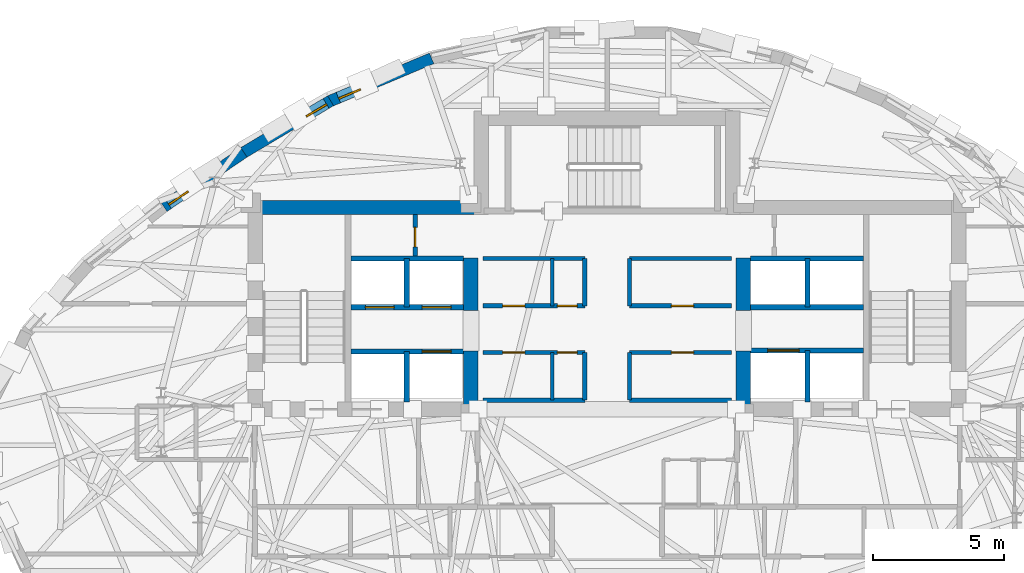
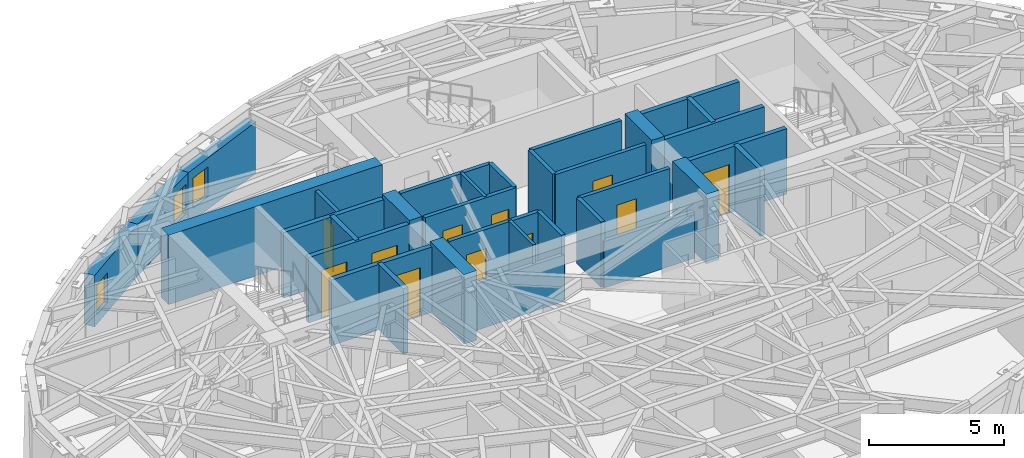
# One storey, part 8 of 13: 33 walls, 11 doors, 3 windows, 14 openings.
"""IFC4 building model written with IfcOpenShell, lengths in metres."""

import ifcopenshell
import ifcopenshell.guid

model = None  # the IFC model being written
_history = None  # IfcOwnerHistory: only IFC2X3 demands one
_inside = {}  # id of a spatial element -> (the spatial element, [elements in it])
_under = {}  # id of a project, library or spatial element -> (it, [spatial elements below it])
_declared = {}  # id of a project -> (the project, [libraries it declares])
_typed = {}  # id of a type object -> (the type object, [elements of that type])
_made_of = {}  # id of a material, layer set ... -> (it, [elements and type objects made of it])


def new_model(schema):
    """Start an empty IFC model of exactly this schema.

    Asked for "IFC4X3", IfcOpenShell would pick the latest addendum, in which some entities
    have other attributes; the version numbers below select the first issue.
    IFC2X3 requires an IfcOwnerHistory on every rooted entity: one is made here for all.
    """
    global model, _history
    if schema == "IFC4X3":
        model = ifcopenshell.file(schema_version=(4, 3, 0, 0))
    else:
        model = ifcopenshell.file(schema=schema)
    _inside.clear()
    _under.clear()
    _declared.clear()
    _typed.clear()
    _made_of.clear()
    _history = None
    if model.schema == "IFC2X3":
        org = make("IfcOrganization", Name="unknown")
        user = make(
            "IfcPersonAndOrganization",
            ThePerson=make("IfcPerson", FamilyName="unknown"),
            TheOrganization=org,
        )
        app = make(
            "IfcApplication",
            ApplicationDeveloper=org,
            Version="unknown",
            ApplicationFullName="unknown",
            ApplicationIdentifier="unknown",
        )
        _history = make(
            "IfcOwnerHistory",
            OwningUser=user,
            OwningApplication=app,
            ChangeAction="ADDED",
            CreationDate=0,
        )
    return model


def make(cls, **values):
    """One entity of the class cls with the attributes given. An attribute that is None is left unset."""
    return model.create_entity(
        cls, **{name: value for name, value in values.items() if value is not None}
    )


def rooted(cls, **values):
    """An entity with a GlobalId (a new one), such as an element, a storey or a relation."""
    return make(cls, GlobalId=ifcopenshell.guid.new(), OwnerHistory=_history, **values)


def si_unit(unit_type, name, prefix=None):
    """IfcSIUnit, for example si_unit("LENGTHUNIT", "METRE", prefix="MILLI")."""
    return make("IfcSIUnit", UnitType=unit_type, Prefix=prefix, Name=name)


def assignment(units):
    """IfcUnitAssignment: the units of a project."""
    return None if units is None else make("IfcUnitAssignment", Units=units)


def point(xyz):
    """IfcCartesianPoint."""
    return None if xyz is None else make("IfcCartesianPoint", Coordinates=xyz)


def direction(xyz):
    """IfcDirection."""
    return None if xyz is None else make("IfcDirection", DirectionRatios=xyz)


def frame(location, z_axis=None, x_axis=None):
    """IfcAxis2Placement3D, a coordinate frame: its origin and axes. An axis left out is left unset."""
    return make(
        "IfcAxis2Placement3D",
        Location=point(location),
        Axis=direction(z_axis),
        RefDirection=direction(x_axis),
    )


def frame_2d(location, x_axis=None):
    """IfcAxis2Placement2D, a coordinate frame in the plane: its origin and x axis."""
    return make(
        "IfcAxis2Placement2D", Location=point(location), RefDirection=direction(x_axis)
    )


def origin():
    """The frame at (0, 0, 0) with its axes left unset."""
    return frame((0.0, 0.0, 0.0))


def place(relative_to, where):
    """IfcLocalPlacement: puts the frame where relative to a parent placement (None: the world)."""
    return make(
        "IfcLocalPlacement", PlacementRelTo=relative_to, RelativePlacement=where
    )


def context(
    kind, dimensions, precision=None, world=None, true_north=None, identifier=None
):
    """IfcGeometricRepresentationContext, for example the 3D "Model" context."""
    return make(
        "IfcGeometricRepresentationContext",
        ContextIdentifier=identifier,
        ContextType=kind,
        CoordinateSpaceDimension=dimensions,
        Precision=precision,
        WorldCoordinateSystem=world,
        TrueNorth=true_north,
    )


def subcontext(parent, identifier, kind, view, scale=None):
    """IfcGeometricRepresentationSubContext, for example "Body" below "Model"."""
    return make(
        "IfcGeometricRepresentationSubContext",
        ContextIdentifier=identifier,
        ContextType=kind,
        ParentContext=parent,
        TargetScale=scale,
        TargetView=view,
    )


def project(units=None, contexts=None):
    """IfcProject with its units and contexts."""
    return rooted(
        "IfcProject",
        Name="project",
        RepresentationContexts=contexts,
        UnitsInContext=assignment(units),
    )


def spatial(cls, under=None, at=None, **own):
    """A site, building, storey or space (cls), placed at a placement, below another one or the project."""
    s = rooted(cls, ObjectPlacement=at, **own)
    if under is not None:
        _under.setdefault(under.id(), (under, []))[1].append(s)
    return s


def profile(cls, at=None, kind="AREA", **sizes):
    """A parametric profile (cls). Its sizes go by their IFC names, for example OverallWidth=200.0."""
    return make(cls, ProfileType=kind, Position=at, **sizes)


def rectangle(**sizes):
    """IfcRectangleProfileDef."""
    return profile("IfcRectangleProfileDef", **sizes)


def extrude(swept, where, along, depth):
    """IfcExtrudedAreaSolid: the profile swept, set in the frame where, extruded along a direction by depth."""
    return make(
        "IfcExtrudedAreaSolid",
        SweptArea=swept,
        Position=where,
        ExtrudedDirection=direction(along),
        Depth=depth,
    )


def shape(context_of_items, identifier, shape_type, items):
    """IfcShapeRepresentation: the items that make up one representation, for example the "Body"."""
    return make(
        "IfcShapeRepresentation",
        ContextOfItems=context_of_items,
        RepresentationIdentifier=identifier,
        RepresentationType=shape_type,
        Items=items,
    )


def material(Name=None, Category=None):
    """IfcMaterial."""
    return make("IfcMaterial", Name=Name, Category=Category)


def layer(
    of_material, thickness, ventilated=None, Name=None, Category=None, Priority=None
):
    """IfcMaterialLayer: one layer of a wall or slab, of a material (None: an air gap)."""
    return make(
        "IfcMaterialLayer",
        Material=of_material,
        LayerThickness=thickness,
        IsVentilated=ventilated,
        Name=Name,
        Category=Category,
        Priority=Priority,
    )


def layer_set(layers, Name=None):
    """IfcMaterialLayerSet."""
    return make("IfcMaterialLayerSet", MaterialLayers=layers, LayerSetName=Name)


def made_of(thing, what):
    """Note that an element or type object is made of a material, layer set ...; save() writes the relation."""
    if what is not None:
        _made_of.setdefault(what.id(), (what, []))[1].append(thing)
    return thing


def type_object(cls, material=None, **own):
    """A type object (cls), such as IfcWallType, which elements share."""
    return made_of(rooted(cls, **own), material)


def element(
    cls,
    number,
    at=None,
    inside=None,
    cuts=None,
    type_object=None,
    material=None,
    context=None,
    identifier="Body",
    shape_type=None,
    held_by="IfcProductDefinitionShape",
    body=None,
    shapes=None,
    **own,
):
    """One element of the class cls, such as IfcWall. Its Tag is "e" and its number.

    at: its placement. inside: the storey or other place that contains it. cuts: it is an
    opening in that element (IfcRelVoidsElement). A single representation is given by context,
    identifier, shape_type and body (its items); several are given by shapes. held_by: the class
    of the entity that holds the representations. save() writes the other relations.
    """
    e = rooted(cls, Tag="e%d" % number, ObjectPlacement=at, **own)
    if body is not None:
        shapes = [shape(context, identifier, shape_type, body)]
    if shapes is not None:
        e.Representation = make(held_by, Representations=shapes)
    if inside is not None:
        _inside.setdefault(inside.id(), (inside, []))[1].append(e)
    if cuts is not None:
        rooted(
            "IfcRelVoidsElement", RelatingBuildingElement=cuts, RelatedOpeningElement=e
        )
    if type_object is not None:
        _typed.setdefault(type_object.id(), (type_object, []))[1].append(e)
    return made_of(e, material)


def fill(opening, filler):
    """IfcRelFillsElement: the door or window that sits in an opening."""
    return rooted(
        "IfcRelFillsElement",
        RelatingOpeningElement=opening,
        RelatedBuildingElement=filler,
    )


def aggregate(whole, parts):
    """IfcRelAggregates: a whole, such as a stair, and the parts it consists of."""
    return rooted("IfcRelAggregates", RelatingObject=whole, RelatedObjects=parts)


def save(model, path):
    """Write the relations noted so far, then the file.

    IfcRelAggregates (storeys below a building ...), IfcRelContainedInSpatialStructure (elements
    in a storey), IfcRelDefinesByType, IfcRelAssociatesMaterial and IfcRelDeclares: one each for
    every whole, place, type object, material and project.
    """
    for whole, parts in _under.values():
        aggregate(whole, parts)
    for where, things in _inside.values():
        rooted(
            "IfcRelContainedInSpatialStructure",
            RelatedElements=things,
            RelatingStructure=where,
        )
    for kind, things in _typed.values():
        rooted("IfcRelDefinesByType", RelatedObjects=things, RelatingType=kind)
    for what, things in _made_of.values():
        rooted("IfcRelAssociatesMaterial", RelatedObjects=things, RelatingMaterial=what)
    for by, libraries in _declared.values():
        rooted("IfcRelDeclares", RelatingContext=by, RelatedDefinitions=libraries)
    model.write(path)


model = new_model("IFC4")

# Units and contexts
model_context = context("Model", 3, precision=1e-05, world=origin(), true_north=direction((0.0, 1.0)))
body_context = subcontext(model_context, "Body", "Model", "MODEL_VIEW")
ifc_project = project(units=[si_unit("LENGTHUNIT", "METRE"), si_unit("AREAUNIT", "SQUARE_METRE"), si_unit("VOLUMEUNIT", "CUBIC_METRE"), si_unit("PLANEANGLEUNIT", "RADIAN"), si_unit("MASSUNIT", "GRAM", prefix="KILO")], contexts=[model_context])

# Site, building, storey
site_placement = place(None, origin())
site = spatial("IfcSite", under=ifc_project, at=site_placement, CompositionType="ELEMENT")
building_placement = place(site_placement, origin())
building = spatial("IfcBuilding", under=site, at=building_placement, Name="Keldmark Tower", CompositionType="ELEMENT")
storey_placement = place(building_placement, frame((0.0, 0.0, 210.0)))
storey = spatial("IfcBuildingStorey", under=building, at=storey_placement, Name="L58", CompositionType="ELEMENT", Elevation=210.0)

# Walls
ifc_material_1 = material(Name="Concrete C50/60", Category="concrete")
ifc_layer_1 = layer(ifc_material_1, 0.550048828125)
ifc_layer_set_1 = layer_set([ifc_layer_1], Name="Concrete C50/60")
wall_type_1 = type_object("IfcWallType", Name="High-Rise Core Shear Wall 550 mm", PredefinedType="SHEAR", material=ifc_layer_set_1)
wall_1_placement = place(storey_placement, frame((-13.699951171875, 9.27490234375, 0.0), z_axis=(0.0, 0.0, 1.0), x_axis=(1.0, 0.0, 0.0)))
element("IfcWall", 1, at=wall_1_placement, inside=storey, type_object=wall_type_1, Name="L58 West Core North Shear Wall", PredefinedType="SHEAR", context=body_context, shape_type="SweptSolid", body=[
    extrude(rectangle(XDim=9.175048828125, YDim=0.550048828125, at=frame_2d((4.58740234375, 0.0))), origin(), (0.0, 0.0, 1.0), 3.14990234375),
])
wall_2_placement = place(storey_placement, frame((-5.199951171875, 1.300048828125, 0.0), z_axis=(0.0, 0.0, 1.0), x_axis=(0.0, 1.0, 0.0)))
element("IfcWall", 2, at=wall_2_placement, inside=storey, type_object=wall_type_1, Name="L58 West Core Inner Shear Pier South", PredefinedType="SHEAR", context=body_context, shape_type="SweptSolid", body=[
    extrude(rectangle(XDim=2.5, YDim=0.550048828125, at=frame_2d((1.25, 0.0))), origin(), (0.0, 0.0, 1.0), 3.14990234375),
])
wall_3_placement = place(storey_placement, frame((-5.199951171875, 5.35009765625, 0.0), z_axis=(0.0, 0.0, 1.0), x_axis=(0.0, 1.0, 0.0)))
element("IfcWall", 3, at=wall_3_placement, inside=storey, type_object=wall_type_1, Name="L58 West Core Inner Shear Pier North", PredefinedType="SHEAR", context=body_context, shape_type="SweptSolid", body=[
    extrude(rectangle(XDim=2.0, YDim=0.550048828125, at=frame_2d((1.0, 0.0))), origin(), (0.0, 0.0, 1.0), 3.14990234375),
])
wall_4_placement = place(storey_placement, frame((5.199951171875, 1.300048828125, 0.0), z_axis=(0.0, 0.0, 1.0), x_axis=(0.0, 1.0, 0.0)))
element("IfcWall", 4, at=wall_4_placement, inside=storey, type_object=wall_type_1, Name="L58 East Core Inner Shear Pier South", PredefinedType="SHEAR", context=body_context, shape_type="SweptSolid", body=[
    extrude(rectangle(XDim=2.5, YDim=0.550048828125, at=frame_2d((1.25, 0.0))), origin(), (0.0, 0.0, 1.0), 3.14990234375),
])
wall_5_placement = place(storey_placement, frame((5.199951171875, 5.35009765625, 0.0), z_axis=(0.0, 0.0, 1.0), x_axis=(0.0, 1.0, 0.0)))
element("IfcWall", 5, at=wall_5_placement, inside=storey, type_object=wall_type_1, Name="L58 East Core Inner Shear Pier North", PredefinedType="SHEAR", context=body_context, shape_type="SweptSolid", body=[
    extrude(rectangle(XDim=2.0, YDim=0.550048828125, at=frame_2d((1.0, 0.0))), origin(), (0.0, 0.0, 1.0), 3.14990234375),
])
ifc_material_2 = material(Name="Acoustic Gypsum Board Interior Partition", Category="gypsum")
ifc_layer_2 = layer(ifc_material_2, 0.1298828125)
ifc_layer_set_2 = layer_set([ifc_layer_2], Name="Acoustic Gypsum Board Interior Partition")
wall_type_2 = type_object("IfcWallType", Name="Interior Partition 130 mm", PredefinedType="PARTITIONING", material=ifc_layer_set_2)
wall_6_placement = place(storey_placement, frame((-2.10009765625, 1.919921875, 0.0), z_axis=(0.0, 0.0, 1.0), x_axis=(0.0, 1.0, 0.0)))
element("IfcWall", 6, at=wall_6_placement, inside=storey, type_object=wall_type_2, Name="L58 Interior Partition 130 mm REC-LW-M", PredefinedType="PARTITIONING", context=body_context, shape_type="SweptSolid", body=[
    extrude(rectangle(XDim=1.820068359375, YDim=0.1298828125, at=frame_2d((0.91015625, 0.0))), origin(), (0.0, 0.0, 1.0), 2.969970703125),
])
wall_7_placement = place(storey_placement, frame((-2.10009765625, 5.52001953125, 0.0), z_axis=(0.0, 0.0, 1.0), x_axis=(0.0, 1.0, 0.0)))
element("IfcWall", 7, at=wall_7_placement, inside=storey, type_object=wall_type_2, Name="L58 Interior Partition 130 mm REC-MW-M", PredefinedType="PARTITIONING", context=body_context, shape_type="SweptSolid", body=[
    extrude(rectangle(XDim=1.81005859375, YDim=0.1298828125, at=frame_2d((0.905029296875, 0.0))), origin(), (0.0, 0.0, 1.0), 2.969970703125),
])
ifc_material_3 = material(Name="Type X Fire-Rated Gypsum Partition Assembly", Category="gypsum")
ifc_layer_3 = layer(ifc_material_3, 0.1650390625)
ifc_layer_set_3 = layer_set([ifc_layer_3], Name="Type X Fire-Rated Gypsum Partition Assembly")
wall_type_3 = type_object("IfcWallType", Name="Rated Partition 165 mm", PredefinedType="PARTITIONING", material=ifc_layer_set_3)
wall_8_placement = place(storey_placement, frame((-4.739990234375, 1.919921875, 0.0), z_axis=(0.0, 0.0, 1.0), x_axis=(1.0, 0.0, 0.0)))
element("IfcWall", 8, at=wall_8_placement, inside=storey, type_object=wall_type_3, Name="L58 Rated Partition 165 mm REC-LW-S", PredefinedType="PARTITIONING", context=body_context, shape_type="SweptSolid", body=[
    extrude(rectangle(XDim=3.889892578125, YDim=0.1650390625, at=frame_2d((1.94482421875, 0.0))), origin(), (0.0, 0.0, 1.0), 2.110107421875),
])

# Wall, openings, doors
wall_9_placement = place(storey_placement, frame((-4.739990234375, 3.739990234375, 0.0), z_axis=(0.0, 0.0, 1.0), x_axis=(1.0, 0.0, 0.0)))
wall_9 = element("IfcWall", 9, at=wall_9_placement, inside=storey, type_object=wall_type_3, Name="L58 Rated Partition 165 mm REC-LW-N", PredefinedType="PARTITIONING", context=body_context, shape_type="SweptSolid", body=[
    extrude(rectangle(XDim=3.889892578125, YDim=0.1650390625, at=frame_2d((1.94482421875, 0.0))), origin(), (0.0, 0.0, 1.0), 2.969970703125),
])
opening_1_placement = place(wall_9_placement, frame((0.75, 0.0, 0.0)))
opening_1 = element("IfcOpeningElement", 10, at=opening_1_placement, cuts=wall_9, Name="Opening D-SV085", PredefinedType="OPENING", context=body_context, shape_type="SweptSolid", body=[
    extrude(rectangle(XDim=0.85009765625, YDim=2.10009765625, at=frame_2d((0.425048828125, 1.050048828125))), frame((0.0, 0.092529296875, 0.0), z_axis=(0.0, -1.0, 0.0), x_axis=(1.0, 0.0, 0.0)), (0.0, 0.0, 1.0), 0.18505859375),
])
opening_2_placement = place(wall_9_placement, frame((2.840087890625, 0.0, 0.0)))
opening_2 = element("IfcOpeningElement", 11, at=opening_2_placement, cuts=wall_9, Name="Opening D-RS075", PredefinedType="OPENING", context=body_context, shape_type="SweptSolid", body=[
    extrude(rectangle(XDim=0.75, YDim=2.10009765625, at=frame_2d((0.375, 1.050048828125))), frame((0.0, 0.092529296875, 0.0), z_axis=(0.0, -1.0, 0.0), x_axis=(1.0, 0.0, 0.0)), (0.0, 0.0, 1.0), 0.18505859375),
])
ifc_material_4 = material(Name="Galvanized Fire-Rated Access Leaf", Category="metal")
door_type_1 = type_object("IfcDoorType", Name="Riser Access Door 750x2100", OperationType="NOTDEFINED", PredefinedType="DOOR", material=ifc_material_4)
door_1_placement = place(opening_2_placement, origin())
door_1 = element("IfcDoor", 12, at=door_1_placement, inside=storey, type_object=door_type_1, Name="L58 Riser Access Door 750x2100 D-RECLW2-L58", OperationType="SINGLE_SWING_RIGHT", OverallHeight=2.10009765625, OverallWidth=0.75, PredefinedType="DOOR", context=body_context, shape_type="SweptSolid", body=[
    extrude(rectangle(XDim=0.75, YDim=2.10009765625, at=frame_2d((0.375, 1.050048828125))), frame((0.0, 0.02490234375, 0.0), z_axis=(0.0, -1.0, 0.0), x_axis=(1.0, 0.0, 0.0)), (0.0, 0.0, 1.0), 0.050048828125),
])
fill(opening_2, door_1)
ifc_material_5 = material(Name="Painted Hollow Metal Door Assembly", Category="metal")
door_type_2 = type_object("IfcDoorType", Name="Service Door 850x2100", OperationType="NOTDEFINED", PredefinedType="DOOR", material=ifc_material_5)
door_2_placement = place(opening_1_placement, origin())
door_2 = element("IfcDoor", 13, at=door_2_placement, inside=storey, type_object=door_type_2, Name="L58 Service Door 850x2100 D-RECLW1-L58", OperationType="SINGLE_SWING_LEFT", OverallHeight=2.10009765625, OverallWidth=0.85009765625, PredefinedType="DOOR", context=body_context, shape_type="SweptSolid", body=[
    extrude(rectangle(XDim=0.85009765625, YDim=2.10009765625, at=frame_2d((0.425048828125, 1.050048828125))), frame((0.0, 0.02490234375, 0.0), z_axis=(0.0, -1.0, 0.0), x_axis=(1.0, 0.0, 0.0)), (0.0, 0.0, 1.0), 0.050048828125),
])
fill(opening_1, door_2)

# Walls
wall_10_placement = place(storey_placement, frame((-0.85009765625, 1.919921875, 0.0), z_axis=(0.0, 0.0, 1.0), x_axis=(0.0, 1.0, 0.0)))
element("IfcWall", 14, at=wall_10_placement, inside=storey, type_object=wall_type_3, Name="L58 Rated Partition 165 mm REC-LW-E", PredefinedType="PARTITIONING", context=body_context, shape_type="SweptSolid", body=[
    extrude(rectangle(XDim=1.820068359375, YDim=0.1650390625, at=frame_2d((0.91015625, 0.0))), origin(), (0.0, 0.0, 1.0), 2.969970703125),
])
wall_11_placement = place(storey_placement, frame((0.85009765625, 1.919921875, 0.0), z_axis=(0.0, 0.0, 1.0), x_axis=(1.0, 0.0, 0.0)))
element("IfcWall", 15, at=wall_11_placement, inside=storey, type_object=wall_type_3, Name="L58 Rated Partition 165 mm REC-LE-S", PredefinedType="PARTITIONING", context=body_context, shape_type="SweptSolid", body=[
    extrude(rectangle(XDim=3.889892578125, YDim=0.1650390625, at=frame_2d((1.94482421875, 0.0))), origin(), (0.0, 0.0, 1.0), 2.110107421875),
])

# Wall, opening, door
wall_12_placement = place(storey_placement, frame((0.85009765625, 3.739990234375, 0.0), z_axis=(0.0, 0.0, 1.0), x_axis=(1.0, 0.0, 0.0)))
wall_12 = element("IfcWall", 16, at=wall_12_placement, inside=storey, type_object=wall_type_3, Name="L58 Rated Partition 165 mm REC-LE-N", PredefinedType="PARTITIONING", context=body_context, shape_type="SweptSolid", body=[
    extrude(rectangle(XDim=3.889892578125, YDim=0.1650390625, at=frame_2d((1.94482421875, 0.0))), origin(), (0.0, 0.0, 1.0), 2.969970703125),
])
opening_3_placement = place(wall_12_placement, frame((1.60009765625, 0.0, 0.0)))
opening_3 = element("IfcOpeningElement", 17, at=opening_3_placement, cuts=wall_12, Name="Opening D-SV085", PredefinedType="OPENING", context=body_context, shape_type="SweptSolid", body=[
    extrude(rectangle(XDim=0.85009765625, YDim=2.10009765625, at=frame_2d((0.425048828125, 1.050048828125))), frame((0.0, 0.092529296875, 0.0), z_axis=(0.0, -1.0, 0.0), x_axis=(1.0, 0.0, 0.0)), (0.0, 0.0, 1.0), 0.18505859375),
])
door_3_placement = place(opening_3_placement, origin())
door_3 = element("IfcDoor", 18, at=door_3_placement, inside=storey, type_object=door_type_2, Name="L58 Service Door 850x2100 D-RECLE1-L58", OperationType="SINGLE_SWING_LEFT", OverallHeight=2.10009765625, OverallWidth=0.85009765625, PredefinedType="DOOR", context=body_context, shape_type="SweptSolid", body=[
    extrude(rectangle(XDim=0.85009765625, YDim=2.10009765625, at=frame_2d((0.425048828125, 1.050048828125))), frame((0.0, 0.02490234375, 0.0), z_axis=(0.0, -1.0, 0.0), x_axis=(1.0, 0.0, 0.0)), (0.0, 0.0, 1.0), 0.050048828125),
])
fill(opening_3, door_3)

# Wall
wall_13_placement = place(storey_placement, frame((0.85009765625, 1.919921875, 0.0), z_axis=(0.0, 0.0, 1.0), x_axis=(0.0, 1.0, 0.0)))
element("IfcWall", 19, at=wall_13_placement, inside=storey, type_object=wall_type_3, Name="L58 Rated Partition 165 mm REC-LE-W", PredefinedType="PARTITIONING", context=body_context, shape_type="SweptSolid", body=[
    extrude(rectangle(XDim=1.820068359375, YDim=0.1650390625, at=frame_2d((0.91015625, 0.0))), origin(), (0.0, 0.0, 1.0), 2.969970703125),
])

# Wall, openings, doors
wall_14_placement = place(storey_placement, frame((-4.739990234375, 5.52001953125, 0.0), z_axis=(0.0, 0.0, 1.0), x_axis=(1.0, 0.0, 0.0)))
wall_14 = element("IfcWall", 20, at=wall_14_placement, inside=storey, type_object=wall_type_3, Name="L58 Rated Partition 165 mm REC-MW-S", PredefinedType="PARTITIONING", context=body_context, shape_type="SweptSolid", body=[
    extrude(rectangle(XDim=3.889892578125, YDim=0.1650390625, at=frame_2d((1.94482421875, 0.0))), origin(), (0.0, 0.0, 1.0), 2.969970703125),
])
opening_4_placement = place(wall_14_placement, frame((0.75, 0.0, 0.0)))
opening_4 = element("IfcOpeningElement", 21, at=opening_4_placement, cuts=wall_14, Name="Opening D-SV085", PredefinedType="OPENING", context=body_context, shape_type="SweptSolid", body=[
    extrude(rectangle(XDim=0.85009765625, YDim=2.10009765625, at=frame_2d((0.425048828125, 1.050048828125))), frame((0.0, 0.092529296875, 0.0), z_axis=(0.0, -1.0, 0.0), x_axis=(1.0, 0.0, 0.0)), (0.0, 0.0, 1.0), 0.18505859375),
])
opening_5_placement = place(wall_14_placement, frame((2.840087890625, 0.0, 0.0)))
opening_5 = element("IfcOpeningElement", 22, at=opening_5_placement, cuts=wall_14, Name="Opening D-RS075", PredefinedType="OPENING", context=body_context, shape_type="SweptSolid", body=[
    extrude(rectangle(XDim=0.75, YDim=2.10009765625, at=frame_2d((0.375, 1.050048828125))), frame((0.0, 0.092529296875, 0.0), z_axis=(0.0, -1.0, 0.0), x_axis=(1.0, 0.0, 0.0)), (0.0, 0.0, 1.0), 0.18505859375),
])
door_4_placement = place(opening_5_placement, origin())
door_4 = element("IfcDoor", 23, at=door_4_placement, inside=storey, type_object=door_type_1, Name="L58 Riser Access Door 750x2100 D-RECMW2-L58", OperationType="SINGLE_SWING_RIGHT", OverallHeight=2.10009765625, OverallWidth=0.75, PredefinedType="DOOR", context=body_context, shape_type="SweptSolid", body=[
    extrude(rectangle(XDim=0.75, YDim=2.10009765625, at=frame_2d((0.375, 1.050048828125))), frame((0.0, 0.02490234375, 0.0), z_axis=(0.0, -1.0, 0.0), x_axis=(1.0, 0.0, 0.0)), (0.0, 0.0, 1.0), 0.050048828125),
])
fill(opening_5, door_4)
door_5_placement = place(opening_4_placement, origin())
door_5 = element("IfcDoor", 24, at=door_5_placement, inside=storey, type_object=door_type_2, Name="L58 Service Door 850x2100 D-RECMW1-L58", OperationType="SINGLE_SWING_LEFT", OverallHeight=2.10009765625, OverallWidth=0.85009765625, PredefinedType="DOOR", context=body_context, shape_type="SweptSolid", body=[
    extrude(rectangle(XDim=0.85009765625, YDim=2.10009765625, at=frame_2d((0.425048828125, 1.050048828125))), frame((0.0, 0.02490234375, 0.0), z_axis=(0.0, -1.0, 0.0), x_axis=(1.0, 0.0, 0.0)), (0.0, 0.0, 1.0), 0.050048828125),
])
fill(opening_4, door_5)

# Walls
wall_15_placement = place(storey_placement, frame((-4.739990234375, 7.330078125, 0.0), z_axis=(0.0, 0.0, 1.0), x_axis=(1.0, 0.0, 0.0)))
element("IfcWall", 25, at=wall_15_placement, inside=storey, type_object=wall_type_3, Name="L58 Rated Partition 165 mm REC-MW-N", PredefinedType="PARTITIONING", context=body_context, shape_type="SweptSolid", body=[
    extrude(rectangle(XDim=3.889892578125, YDim=0.1650390625, at=frame_2d((1.94482421875, 0.0))), origin(), (0.0, 0.0, 1.0), 2.969970703125),
])
wall_16_placement = place(storey_placement, frame((-0.85009765625, 5.52001953125, 0.0), z_axis=(0.0, 0.0, 1.0), x_axis=(0.0, 1.0, 0.0)))
element("IfcWall", 26, at=wall_16_placement, inside=storey, type_object=wall_type_3, Name="L58 Rated Partition 165 mm REC-MW-E", PredefinedType="PARTITIONING", context=body_context, shape_type="SweptSolid", body=[
    extrude(rectangle(XDim=1.81005859375, YDim=0.1650390625, at=frame_2d((0.905029296875, 0.0))), origin(), (0.0, 0.0, 1.0), 2.969970703125),
])

# Wall, opening, door
wall_17_placement = place(storey_placement, frame((0.85009765625, 5.52001953125, 0.0), z_axis=(0.0, 0.0, 1.0), x_axis=(1.0, 0.0, 0.0)))
wall_17 = element("IfcWall", 27, at=wall_17_placement, inside=storey, type_object=wall_type_3, Name="L58 Rated Partition 165 mm REC-ME-S", PredefinedType="PARTITIONING", context=body_context, shape_type="SweptSolid", body=[
    extrude(rectangle(XDim=3.889892578125, YDim=0.1650390625, at=frame_2d((1.94482421875, 0.0))), origin(), (0.0, 0.0, 1.0), 2.969970703125),
])
opening_6_placement = place(wall_17_placement, frame((1.60009765625, 0.0, 0.0)))
opening_6 = element("IfcOpeningElement", 28, at=opening_6_placement, cuts=wall_17, Name="Opening D-SV085", PredefinedType="OPENING", context=body_context, shape_type="SweptSolid", body=[
    extrude(rectangle(XDim=0.85009765625, YDim=2.10009765625, at=frame_2d((0.425048828125, 1.050048828125))), frame((0.0, 0.092529296875, 0.0), z_axis=(0.0, -1.0, 0.0), x_axis=(1.0, 0.0, 0.0)), (0.0, 0.0, 1.0), 0.18505859375),
])
door_6_placement = place(opening_6_placement, origin())
door_6 = element("IfcDoor", 29, at=door_6_placement, inside=storey, type_object=door_type_2, Name="L58 Service Door 850x2100 D-RECME1-L58", OperationType="SINGLE_SWING_RIGHT", OverallHeight=2.10009765625, OverallWidth=0.85009765625, PredefinedType="DOOR", context=body_context, shape_type="SweptSolid", body=[
    extrude(rectangle(XDim=0.85009765625, YDim=2.10009765625, at=frame_2d((0.425048828125, 1.050048828125))), frame((0.0, 0.02490234375, 0.0), z_axis=(0.0, -1.0, 0.0), x_axis=(1.0, 0.0, 0.0)), (0.0, 0.0, 1.0), 0.050048828125),
])
fill(opening_6, door_6)

# Walls
wall_18_placement = place(storey_placement, frame((0.85009765625, 7.330078125, 0.0), z_axis=(0.0, 0.0, 1.0), x_axis=(1.0, 0.0, 0.0)))
element("IfcWall", 30, at=wall_18_placement, inside=storey, type_object=wall_type_3, Name="L58 Rated Partition 165 mm REC-ME-N", PredefinedType="PARTITIONING", context=body_context, shape_type="SweptSolid", body=[
    extrude(rectangle(XDim=3.889892578125, YDim=0.1650390625, at=frame_2d((1.94482421875, 0.0))), origin(), (0.0, 0.0, 1.0), 2.969970703125),
])
wall_19_placement = place(storey_placement, frame((0.85009765625, 5.52001953125, 0.0), z_axis=(0.0, 0.0, 1.0), x_axis=(0.0, 1.0, 0.0)))
element("IfcWall", 31, at=wall_19_placement, inside=storey, type_object=wall_type_3, Name="L58 Rated Partition 165 mm REC-ME-W", PredefinedType="PARTITIONING", context=body_context, shape_type="SweptSolid", body=[
    extrude(rectangle(XDim=1.81005859375, YDim=0.1650390625, at=frame_2d((0.905029296875, 0.0))), origin(), (0.0, 0.0, 1.0), 2.969970703125),
])

# Wall, opening, door
wall_20_placement = place(storey_placement, frame((-7.330078125, 7.419921875, 0.0), z_axis=(0.0, 0.0, 1.0), x_axis=(0.0, 1.0, 0.0)))
wall_20 = element("IfcWall", 32, at=wall_20_placement, inside=storey, type_object=wall_type_3, Name="L58 Rated Partition 165 mm CS-NW-E", PredefinedType="PARTITIONING", context=body_context, shape_type="SweptSolid", body=[
    extrude(rectangle(XDim=1.580078125, YDim=0.1650390625, at=frame_2d((0.7900390625, 0.0))), origin(), (0.0, 0.0, 1.0), 2.969970703125),
])
opening_7_placement = place(wall_20_placement, frame((0.35009765625, 0.0, 0.0)))
opening_7 = element("IfcOpeningElement", 33, at=opening_7_placement, cuts=wall_20, Name="Opening D-RS075", PredefinedType="OPENING", context=body_context, shape_type="SweptSolid", body=[
    extrude(rectangle(XDim=0.75, YDim=2.10009765625, at=frame_2d((0.375, 1.050048828125))), frame((0.0, 0.092529296875, 0.0), z_axis=(0.0, -1.0, 0.0), x_axis=(1.0, 0.0, 0.0)), (0.0, 0.0, 1.0), 0.18505859375),
])
door_7_placement = place(opening_7_placement, origin())
door_7 = element("IfcDoor", 34, at=door_7_placement, inside=storey, type_object=door_type_1, Name="L58 Riser Access Door 750x2100 D-CSNW1-L58", OperationType="SINGLE_SWING_RIGHT", OverallHeight=2.10009765625, OverallWidth=0.75, PredefinedType="DOOR", context=body_context, shape_type="SweptSolid", body=[
    extrude(rectangle(XDim=0.75, YDim=2.10009765625, at=frame_2d((0.375, 1.050048828125))), frame((0.0, 0.02490234375, 0.0), z_axis=(0.0, -1.0, 0.0), x_axis=(1.0, 0.0, 0.0)), (0.0, 0.0, 1.0), 0.050048828125),
])
fill(opening_7, door_7)

ifc_material_6 = material(Name="Fire-Resistant Type X Gypsum Shaftliner Coreboard", Category="gypsum")
ifc_layer_4 = layer(ifc_material_6, 0.199951171875)
ifc_layer_set_4 = layer_set([ifc_layer_4], Name="Fire-Resistant Type X Gypsum Shaftliner Coreboard")
wall_type_4 = type_object("IfcWallType", Name="Shaft Wall 200 mm", PredefinedType="SOLIDWALL", material=ifc_layer_set_4)
wall_21_placement = place(storey_placement, frame((-9.780029296875, 3.780029296875, 0.0), z_axis=(0.0, 0.0, 1.0), x_axis=(1.0, 0.0, 0.0)))
wall_21 = element("IfcWall", 35, at=wall_21_placement, inside=storey, type_object=wall_type_4, Name="L58 Shaft Wall 200 mm HW-W-S", PredefinedType="SOLIDWALL", context=body_context, shape_type="SweptSolid", body=[
    extrude(rectangle(XDim=4.304931640625, YDim=0.199951171875, at=frame_2d((2.15234375, 0.0))), origin(), (0.0, 0.0, 1.0), 2.969970703125),
])
opening_8_placement = place(wall_21_placement, frame((2.719970703125, 0.0, 0.0)))
opening_8 = element("IfcOpeningElement", 36, at=opening_8_placement, cuts=wall_21, Name="Opening LD-110", PredefinedType="OPENING", context=body_context, shape_type="SweptSolid", body=[
    extrude(rectangle(XDim=1.10009765625, YDim=2.199951171875, at=frame_2d((0.550048828125, 1.10009765625))), frame((0.0, 0.10986328125, 0.0), z_axis=(0.0, -1.0, 0.0), x_axis=(1.0, 0.0, 0.0)), (0.0, 0.0, 1.0), 0.219970703125),
])
ifc_material_7 = material(Name="Brushed Bronze Hoistway Sliding Leaf", Category="metal")
door_type_3 = type_object("IfcDoorType", Name="Lift Landing Sliding Door 1100x2200", OperationType="SLIDING_TO_LEFT", PredefinedType="DOOR", material=ifc_material_7)
door_8_placement = place(opening_8_placement, origin())
door_8 = element("IfcDoor", 37, at=door_8_placement, inside=storey, type_object=door_type_3, Name="L58 Lift Landing Sliding Door 1100x2200 LD-EL-H3-L58", OperationType="SLIDING_TO_LEFT", OverallHeight=2.199951171875, OverallWidth=1.10009765625, PredefinedType="DOOR", context=body_context, shape_type="SweptSolid", body=[
    extrude(rectangle(XDim=1.10009765625, YDim=2.199951171875, at=frame_2d((0.550048828125, 1.10009765625))), frame((0.0, 0.02490234375, 0.0), z_axis=(0.0, -1.0, 0.0), x_axis=(1.0, 0.0, 0.0)), (0.0, 0.0, 1.0), 0.050048828125),
])
fill(opening_8, door_8)

# Wall
wall_22_placement = place(storey_placement, frame((-7.64990234375, 1.85009765625, 0.0), z_axis=(0.0, 0.0, 1.0), x_axis=(0.0, 1.0, 0.0)))
element("IfcWall", 38, at=wall_22_placement, inside=storey, type_object=wall_type_4, Name="L58 Shaft Wall 200 mm HW-W-M", PredefinedType="SOLIDWALL", context=body_context, shape_type="SweptSolid", body=[
    extrude(rectangle(XDim=1.929931640625, YDim=0.199951171875, at=frame_2d((0.96484375, 0.0))), origin(), (0.0, 0.0, 1.0), 2.969970703125),
])

# Wall, openings, doors
wall_23_placement = place(storey_placement, frame((-9.780029296875, 5.469970703125, 0.0), z_axis=(0.0, 0.0, 1.0), x_axis=(1.0, 0.0, 0.0)))
wall_23 = element("IfcWall", 39, at=wall_23_placement, inside=storey, type_object=wall_type_4, Name="L58 Shaft Wall 200 mm HW-W-N", PredefinedType="SOLIDWALL", context=body_context, shape_type="SweptSolid", body=[
    extrude(rectangle(XDim=4.304931640625, YDim=0.199951171875, at=frame_2d((2.15234375, 0.0))), origin(), (0.0, 0.0, 1.0), 2.969970703125),
])
opening_9_placement = place(wall_23_placement, frame((0.550048828125, 0.0, 0.0)))
opening_9 = element("IfcOpeningElement", 40, at=opening_9_placement, cuts=wall_23, Name="Opening LD-110", PredefinedType="OPENING", context=body_context, shape_type="SweptSolid", body=[
    extrude(rectangle(XDim=1.10009765625, YDim=2.199951171875, at=frame_2d((0.550048828125, 1.10009765625))), frame((0.0, 0.10986328125, 0.0), z_axis=(0.0, -1.0, 0.0), x_axis=(1.0, 0.0, 0.0)), (0.0, 0.0, 1.0), 0.219970703125),
])
opening_10_placement = place(wall_23_placement, frame((2.719970703125, 0.0, 0.0)))
opening_10 = element("IfcOpeningElement", 41, at=opening_10_placement, cuts=wall_23, Name="Opening LD-110", PredefinedType="OPENING", context=body_context, shape_type="SweptSolid", body=[
    extrude(rectangle(XDim=1.10009765625, YDim=2.199951171875, at=frame_2d((0.550048828125, 1.10009765625))), frame((0.0, 0.10986328125, 0.0), z_axis=(0.0, -1.0, 0.0), x_axis=(1.0, 0.0, 0.0)), (0.0, 0.0, 1.0), 0.219970703125),
])
door_9_placement = place(opening_9_placement, origin())
door_9 = element("IfcDoor", 42, at=door_9_placement, inside=storey, type_object=door_type_3, Name="L58 Lift Landing Sliding Door 1100x2200 LD-EL-H1-L58", OperationType="SLIDING_TO_LEFT", OverallHeight=2.199951171875, OverallWidth=1.10009765625, PredefinedType="DOOR", context=body_context, shape_type="SweptSolid", body=[
    extrude(rectangle(XDim=1.10009765625, YDim=2.199951171875, at=frame_2d((0.550048828125, 1.10009765625))), frame((0.0, 0.02490234375, 0.0), z_axis=(0.0, -1.0, 0.0), x_axis=(1.0, 0.0, 0.0)), (0.0, 0.0, 1.0), 0.050048828125),
])
fill(opening_9, door_9)
door_10_placement = place(opening_10_placement, origin())
door_10 = element("IfcDoor", 43, at=door_10_placement, inside=storey, type_object=door_type_3, Name="L58 Lift Landing Sliding Door 1100x2200 LD-EL-H2-L58", OperationType="SLIDING_TO_LEFT", OverallHeight=2.199951171875, OverallWidth=1.10009765625, PredefinedType="DOOR", context=body_context, shape_type="SweptSolid", body=[
    extrude(rectangle(XDim=1.10009765625, YDim=2.199951171875, at=frame_2d((0.550048828125, 1.10009765625))), frame((0.0, 0.02490234375, 0.0), z_axis=(0.0, -1.0, 0.0), x_axis=(1.0, 0.0, 0.0)), (0.0, 0.0, 1.0), 0.050048828125),
])
fill(opening_10, door_10)

# Walls
wall_24_placement = place(storey_placement, frame((-9.780029296875, 7.330078125, 0.0), z_axis=(0.0, 0.0, 1.0), x_axis=(1.0, 0.0, 0.0)))
element("IfcWall", 44, at=wall_24_placement, inside=storey, type_object=wall_type_4, Name="L58 Shaft Wall 200 mm HW-W-TOP", PredefinedType="SOLIDWALL", context=body_context, shape_type="SweptSolid", body=[
    extrude(rectangle(XDim=4.304931640625, YDim=0.199951171875, at=frame_2d((2.15234375, 0.0))), origin(), (0.0, 0.0, 1.0), 2.969970703125),
])
wall_25_placement = place(storey_placement, frame((-7.64990234375, 5.469970703125, 0.0), z_axis=(0.0, 0.0, 1.0), x_axis=(0.0, 1.0, 0.0)))
element("IfcWall", 45, at=wall_25_placement, inside=storey, type_object=wall_type_4, Name="L58 Shaft Wall 200 mm HW-W-NM", PredefinedType="SOLIDWALL", context=body_context, shape_type="SweptSolid", body=[
    extrude(rectangle(XDim=1.860107421875, YDim=0.199951171875, at=frame_2d((0.93017578125, 0.0))), origin(), (0.0, 0.0, 1.0), 2.969970703125),
])

# Wall, opening, door
wall_26_placement = place(storey_placement, frame((5.47509765625, 3.820068359375, 0.0), z_axis=(0.0, 0.0, 1.0), x_axis=(1.0, 0.0, 0.0)))
wall_26 = element("IfcWall", 46, at=wall_26_placement, inside=storey, type_object=wall_type_4, Name="L58 Shaft Wall 200 mm HW-E-S", PredefinedType="SOLIDWALL", context=body_context, shape_type="SweptSolid", body=[
    extrude(rectangle(XDim=4.304931640625, YDim=0.199951171875, at=frame_2d((2.15234375, 0.0))), origin(), (0.0, 0.0, 1.0), 2.969970703125),
])
opening_11_placement = place(wall_26_placement, frame((0.64990234375, 0.0, 0.0)))
opening_11 = element("IfcOpeningElement", 47, at=opening_11_placement, cuts=wall_26, Name="Opening LD-120", PredefinedType="OPENING", context=body_context, shape_type="SweptSolid", body=[
    extrude(rectangle(XDim=1.199951171875, YDim=2.199951171875, at=frame_2d((0.60009765625, 1.10009765625))), frame((0.0, 0.10986328125, 0.0), z_axis=(0.0, -1.0, 0.0), x_axis=(1.0, 0.0, 0.0)), (0.0, 0.0, 1.0), 0.219970703125),
])
ifc_material_8 = material(Name="Heavy-Duty Brushed Metal Hoistway Sliding Leaf", Category="metal")
door_type_4 = type_object("IfcDoorType", Name="Service Lift Sliding Door 1200x2200", OperationType="SLIDING_TO_RIGHT", PredefinedType="DOOR", material=ifc_material_8)
door_11_placement = place(opening_11_placement, origin())
door_11 = element("IfcDoor", 48, at=door_11_placement, inside=storey, type_object=door_type_4, Name="L58 Service Lift Sliding Door 1200x2200 LD-EL-SV1-L58", OperationType="SLIDING_TO_RIGHT", OverallHeight=2.199951171875, OverallWidth=1.199951171875, PredefinedType="DOOR", context=body_context, shape_type="SweptSolid", body=[
    extrude(rectangle(XDim=1.199951171875, YDim=2.199951171875, at=frame_2d((0.60009765625, 1.10009765625))), frame((0.0, 0.02490234375, 0.0), z_axis=(0.0, -1.0, 0.0), x_axis=(1.0, 0.0, 0.0)), (0.0, 0.0, 1.0), 0.050048828125),
])
fill(opening_11, door_11)

# Walls
wall_27_placement = place(storey_placement, frame((7.64990234375, 1.85009765625, 0.0), z_axis=(0.0, 0.0, 1.0), x_axis=(0.0, 1.0, 0.0)))
element("IfcWall", 49, at=wall_27_placement, inside=storey, type_object=wall_type_4, Name="L58 Shaft Wall 200 mm HW-E-M", PredefinedType="SOLIDWALL", context=body_context, shape_type="SweptSolid", body=[
    extrude(rectangle(XDim=1.969970703125, YDim=0.199951171875, at=frame_2d((0.98486328125, 0.0))), origin(), (0.0, 0.0, 1.0), 2.969970703125),
])
for number, where, z_axis, x_axis, name in (
    (50, (5.47509765625, 5.469970703125, 0.0), (0.0, 0.0, 1.0), (1.0, 0.0, 0.0), "L58 Shaft Wall 200 mm HW-E-N"),
    (51, (5.47509765625, 7.330078125, 0.0), (0.0, 0.0, 1.0), (1.0, 0.0, 0.0), "L58 Shaft Wall 200 mm HW-E-TOP"),
):
    element("IfcWall", number, at=place(storey_placement, frame(where, z_axis=z_axis, x_axis=x_axis)), inside=storey, type_object=wall_type_4, Name=name, PredefinedType="SOLIDWALL", context=body_context, shape_type="SweptSolid", body=[
        extrude(rectangle(XDim=4.304931640625, YDim=0.199951171875, at=frame_2d((2.15234375, 0.0))), origin(), (0.0, 0.0, 1.0), 2.969970703125),
    ])
wall_28_placement = place(storey_placement, frame((7.64990234375, 5.469970703125, 0.0), z_axis=(0.0, 0.0, 1.0), x_axis=(0.0, 1.0, 0.0)))
element("IfcWall", 52, at=wall_28_placement, inside=storey, type_object=wall_type_4, Name="L58 Shaft Wall 200 mm HW-E-NM", PredefinedType="SOLIDWALL", context=body_context, shape_type="SweptSolid", body=[
    extrude(rectangle(XDim=1.860107421875, YDim=0.199951171875, at=frame_2d((0.93017578125, 0.0))), origin(), (0.0, 0.0, 1.0), 2.969970703125),
])

# Wall, opening, window
ifc_material_9 = material(Name="Ironspot Manganese Brick and Kasota Buff Limestone Spandrel Assembly", Category="masonry")
ifc_layer_5 = layer(ifc_material_9, 0.43994140625)
ifc_layer_set_5 = layer_set([ifc_layer_5], Name="Ironspot Manganese Brick and Kasota Buff Limestone Spandrel Assembly")
wall_type_5 = type_object("IfcWallType", Name="Tower Brick Pier and Spandrel Wall 440 mm", PredefinedType="STANDARD", material=ifc_layer_set_5)
wall_29_placement = place(storey_placement, frame((-10.58251953125, 13.333984375, 0.0), z_axis=(0.0, 0.0, 1.0), x_axis=(0.921948168537, 0.387313276988, 0.0)))
wall_29 = element("IfcWall", 53, at=wall_29_placement, inside=storey, type_object=wall_type_5, Name="L58 Exterior Brick and Spandrel Wall 10", PredefinedType="STANDARD", context=body_context, shape_type="SweptSolid", body=[
    extrude(rectangle(XDim=4.212646484375, YDim=0.43994140625, at=frame_2d((2.1064453125, 0.0))), origin(), (0.0, 0.0, 1.0), 2.3359375),
])
opening_12_placement = place(wall_29_placement, frame((0.34814453125, 0.0, 0.580078125)))
opening_12 = element("IfcOpeningElement", 54, at=opening_12_placement, cuts=wall_29, Name="Opening W-09", PredefinedType="OPENING", context=body_context, shape_type="SweptSolid", body=[
    extrude(rectangle(XDim=0.89990234375, YDim=1.35009765625, at=frame_2d((0.449951171875, 0.675048828125))), frame((0.0, 0.22998046875, 0.0), z_axis=(0.0, -1.0, 0.0), x_axis=(1.0, 0.0, 0.0)), (0.0, 0.0, 1.0), 0.4599609375),
])
ifc_material_10 = material(Name="Thermally Broken Anodized Aluminum and Triple Low-E Argon Glazing", Category="aluminium")
window_type = type_object("IfcWindowType", Name="Corner Pier Deep-Set Window 900x1350", PartitioningType="SINGLE_PANEL", PredefinedType="WINDOW", material=ifc_material_10)
window_1_placement = place(opening_12_placement, origin())
window_1 = element("IfcWindow", 55, at=window_1_placement, inside=storey, type_object=window_type, Name="L58 Deep-Set Window 10", OverallHeight=1.35009765625, OverallWidth=0.89990234375, PartitioningType="SINGLE_PANEL", PredefinedType="WINDOW", context=body_context, shape_type="SweptSolid", body=[
    extrude(rectangle(XDim=0.89990234375, YDim=1.35009765625, at=frame_2d((0.449951171875, 0.675048828125))), frame((0.0, -0.010009765625, 0.0), z_axis=(0.0, -1.0, 0.0), x_axis=(1.0, 0.0, 0.0)), (0.0, 0.0, 1.0), 0.06005859375),
])
fill(opening_12, window_1)

wall_30_placement = place(storey_placement, frame((-13.876220703125, 11.3720703125, 0.0), z_axis=(0.0, 0.0, 1.0), x_axis=(0.859415840392, 0.511277237204, 0.0)))
wall_30 = element("IfcWall", 56, at=wall_30_placement, inside=storey, type_object=wall_type_5, Name="L58 Exterior Brick and Spandrel Wall 11", PredefinedType="STANDARD", context=body_context, shape_type="SweptSolid", body=[
    extrude(rectangle(XDim=3.864013671875, YDim=0.43994140625, at=frame_2d((1.93212890625, 0.0))), origin(), (0.0, 0.0, 1.0), 2.3359375),
])
opening_13_placement = place(wall_30_placement, frame((2.76416015625, 0.0, 0.580078125)))
opening_13 = element("IfcOpeningElement", 57, at=opening_13_placement, cuts=wall_30, Name="Opening W-09", PredefinedType="OPENING", context=body_context, shape_type="SweptSolid", body=[
    extrude(rectangle(XDim=0.89990234375, YDim=1.35009765625, at=frame_2d((0.449951171875, 0.675048828125))), frame((0.0, 0.22998046875, 0.0), z_axis=(0.0, -1.0, 0.0), x_axis=(1.0, 0.0, 0.0)), (0.0, 0.0, 1.0), 0.4599609375),
])
window_2_placement = place(opening_13_placement, origin())
window_2 = element("IfcWindow", 58, at=window_2_placement, inside=storey, type_object=window_type, Name="L58 Deep-Set Window 11", OverallHeight=1.35009765625, OverallWidth=0.89990234375, PartitioningType="SINGLE_PANEL", PredefinedType="WINDOW", context=body_context, shape_type="SweptSolid", body=[
    extrude(rectangle(XDim=0.89990234375, YDim=1.35009765625, at=frame_2d((0.449951171875, 0.675048828125))), frame((0.0, -0.010009765625, 0.0), z_axis=(0.0, -1.0, 0.0), x_axis=(1.0, 0.0, 0.0)), (0.0, 0.0, 1.0), 0.06005859375),
])
fill(opening_13, window_2)

wall_31_placement = place(storey_placement, frame((-16.921875, 9.305908203125, 0.0), z_axis=(0.0, 0.0, 1.0), x_axis=(0.827589832786, 0.561333295529, 0.0)))
wall_31 = element("IfcWall", 59, at=wall_31_placement, inside=storey, type_object=wall_type_5, Name="L58 Exterior Brick and Spandrel Wall 12", PredefinedType="STANDARD", context=body_context, shape_type="SweptSolid", body=[
    extrude(rectangle(XDim=3.693359375, YDim=0.43994140625, at=frame_2d((1.8466796875, 0.0))), origin(), (0.0, 0.0, 1.0), 2.3359375),
])
opening_14_placement = place(wall_31_placement, frame((0.199951171875, 0.0, 0.419921875)))
opening_14 = element("IfcOpeningElement", 60, at=opening_14_placement, cuts=wall_31, Name="Opening W-09", PredefinedType="OPENING", context=body_context, shape_type="SweptSolid", body=[
    extrude(rectangle(XDim=0.89990234375, YDim=1.35009765625, at=frame_2d((0.449951171875, 0.675048828125))), frame((0.0, 0.22998046875, 0.0), z_axis=(0.0, -1.0, 0.0), x_axis=(1.0, 0.0, 0.0)), (0.0, 0.0, 1.0), 0.4599609375),
])
window_3_placement = place(opening_14_placement, origin())
window_3 = element("IfcWindow", 61, at=window_3_placement, inside=storey, type_object=window_type, Name="L58 Deep-Set Window 12", OverallHeight=1.35009765625, OverallWidth=0.89990234375, PartitioningType="SINGLE_PANEL", PredefinedType="WINDOW", context=body_context, shape_type="SweptSolid", body=[
    extrude(rectangle(XDim=0.89990234375, YDim=1.35009765625, at=frame_2d((0.449951171875, 0.675048828125))), frame((0.0, -0.010009765625, 0.0), z_axis=(0.0, -1.0, 0.0), x_axis=(1.0, 0.0, 0.0)), (0.0, 0.0, 1.0), 0.06005859375),
])
fill(opening_14, window_3)

save(model, "model.ifc")
